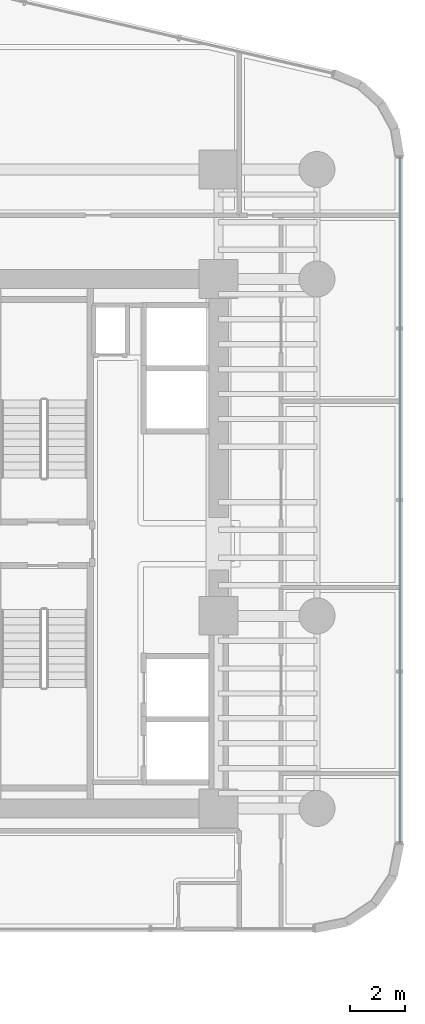
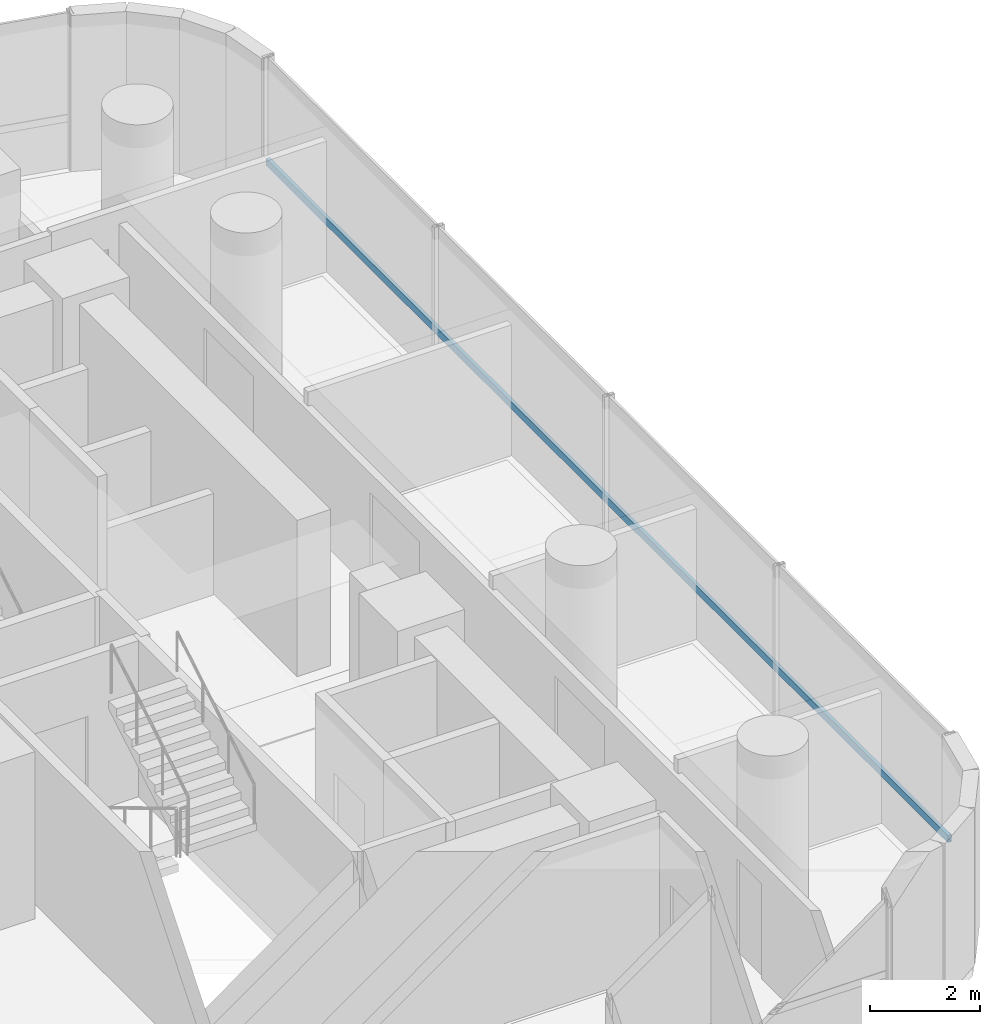
# One storey, part 25 of 40: 1 member, 1 element without a shape of its own.
"""IFC4 building model written with IfcOpenShell, lengths in metres."""

from ifc_helpers import new_model, si_unit, direction, frame, origin, origin_2d, place, context, subcontext, project, spatial, hollow_rectangle, extrude, source, transform, mapped, material, material_profile, profile_set, type_object, element, aggregate, save


model = new_model("IFC4")

# Units and contexts
model_context = context("Model", 3, precision=1e-05, world=origin(), true_north=direction((0.0, 1.0)))
body_context = subcontext(model_context, "Body", "Model", "MODEL_VIEW")
ifc_project = project(units=[si_unit("LENGTHUNIT", "METRE"), si_unit("AREAUNIT", "SQUARE_METRE"), si_unit("VOLUMEUNIT", "CUBIC_METRE"), si_unit("PLANEANGLEUNIT", "RADIAN"), si_unit("MASSUNIT", "GRAM", prefix="KILO")], contexts=[model_context])

# Site, building, storey
site_placement = place(None, origin())
site = spatial("IfcSite", under=ifc_project, at=site_placement, CompositionType="ELEMENT")
building_placement = place(site_placement, origin())
building = spatial("IfcBuilding", under=site, at=building_placement, Name="Valdorenza Pilgrim Sanctuary Tower", CompositionType="ELEMENT")
storey_placement = place(building_placement, frame((0.0, 0.0, 44.5)))
storey = spatial("IfcBuildingStorey", under=building, at=storey_placement, Name="L10", CompositionType="ELEMENT", Elevation=44.5)

# Curtain wall, member
ifc_material_1 = material(Name="Curtain-wall IGU glazing", Category="glass")
curtain_wall_type = type_object("IfcCurtainWallType", Name="CW-SYS-03", PredefinedType="NOTDEFINED", material=ifc_material_1)
curtain_wall_placement = place(storey_placement, origin())
curtain_wall = element("IfcCurtainWall", 1, at=curtain_wall_placement, inside=storey, type_object=curtain_wall_type, Name="L10 Curtain Wall CW-L10-1-21", PredefinedType="NOTDEFINED")
ifc_material_2 = material(Name="Anodised aluminium AW-6060", Category="aluminium")
ifc_material_profile = material_profile(ifc_material_2, hollow_rectangle(XDim=0.074951171875, YDim=0.159912109375, WallThickness=0.00390625, at=origin_2d()), Name="ALU-T 160x75x4")
ifc_profile_set = profile_set([ifc_material_profile], Name="Anodised aluminium AW-6060")
member_type = type_object("IfcMemberType", Name="CW-TRN-03", PredefinedType="USERDEFINED", material=ifc_profile_set)
shared_shape = source(origin(), body_context, "Body", "SweptSolid", [
    extrude(hollow_rectangle(XDim=0.074951171875, YDim=0.159912109375, WallThickness=0.00390625, at=origin_2d()), origin(), (0.0, 0.0, 1.0), 24.734375),
])
member_placement = place(storey_placement, frame((31.389892578125, 13.945068359375, 1.1201171875), z_axis=(0.0, -1.0, 0.0), x_axis=(1.0, 0.0, 0.0)))
member = element("IfcMember", 2, at=member_placement, type_object=member_type, Name="CW-L10-1-21 Transom 1", ObjectType="TRANSOM", PredefinedType="USERDEFINED", context=body_context, shape_type="MappedRepresentation", body=[
    mapped(shared_shape, transform((0.0, 0.0, 0.0), x_axis=(1.0, 0.0, 0.0), y_axis=(0.0, 1.0, 0.0), z_axis=(0.0, 0.0, 1.0), scale=1.0)),
])
aggregate(curtain_wall, [member])

save(model, "model.ifc")
